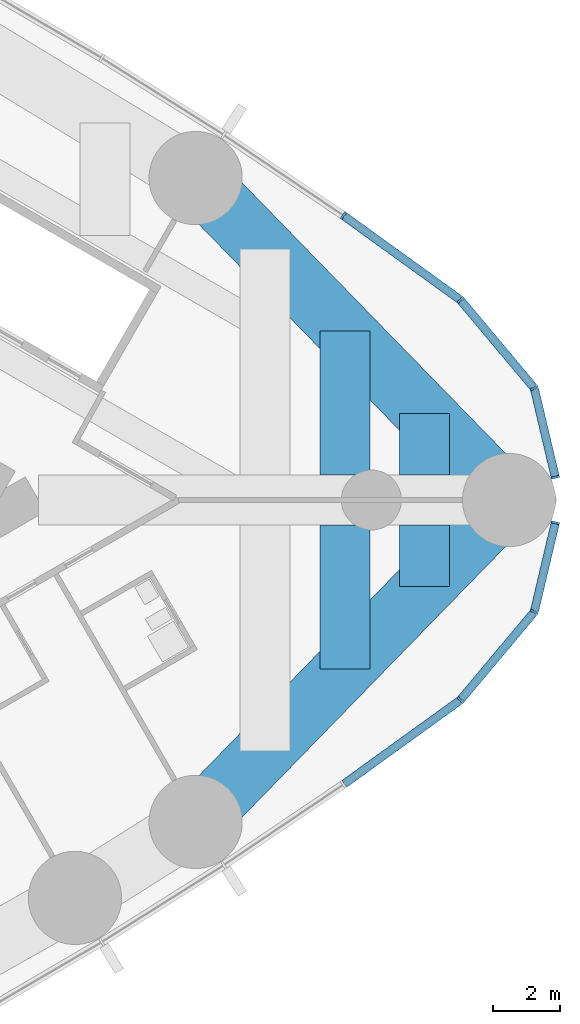
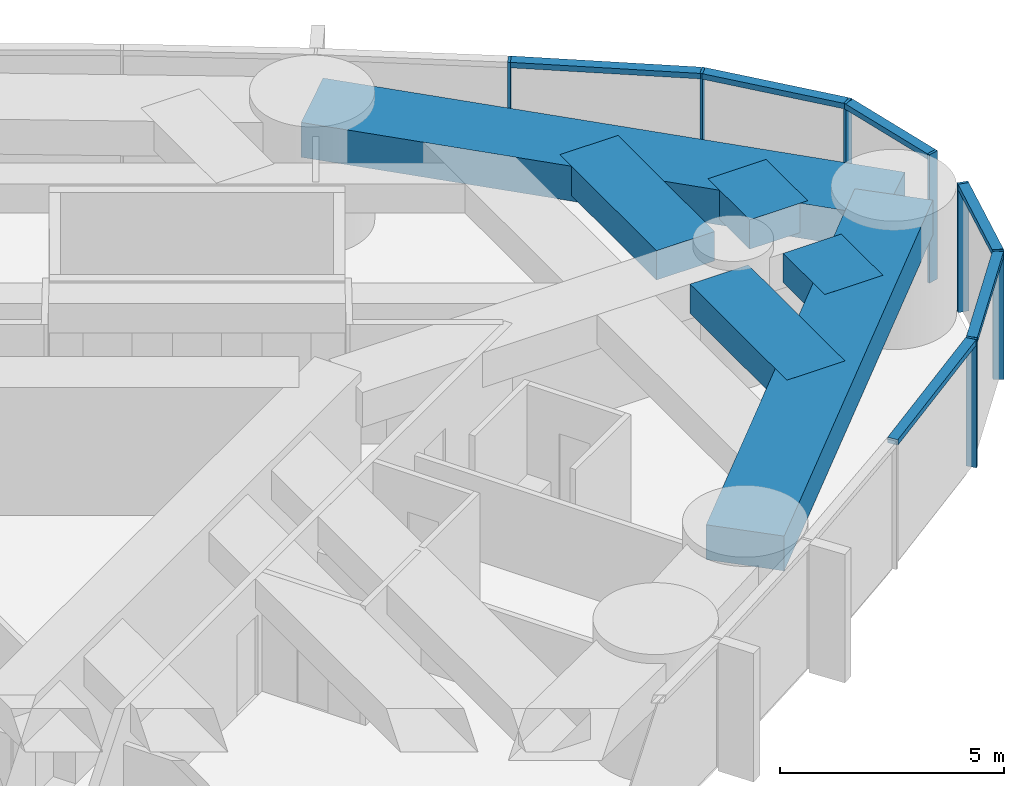
# One storey, part 9 of 19: 13 members, 6 beams, 2 elements without a shape of their own.
"""IFC4 building model written with IfcOpenShell, lengths in metres."""

from ifc_helpers import new_model, si_unit, direction, frame, origin, origin_2d, place, context, subcontext, project, spatial, rectangle, extrude, material, material_profile, profile_set, type_object, element, aggregate, save


model = new_model("IFC4")

# Units and contexts
model_context = context("Model", 3, precision=1e-05, world=origin(), true_north=direction((0.0, 1.0)))
body_context = subcontext(model_context, "Body", "Model", "MODEL_VIEW")
ifc_project = project(units=[si_unit("LENGTHUNIT", "METRE"), si_unit("AREAUNIT", "SQUARE_METRE"), si_unit("VOLUMEUNIT", "CUBIC_METRE"), si_unit("PLANEANGLEUNIT", "RADIAN"), si_unit("MASSUNIT", "GRAM", prefix="KILO")], contexts=[model_context])

# Site, building, storey
site_placement = place(None, origin())
site = spatial("IfcSite", under=ifc_project, at=site_placement, CompositionType="ELEMENT")
building_placement = place(site_placement, origin())
building = spatial("IfcBuilding", under=site, at=building_placement, Name="Lancet Gate Hotel", CompositionType="ELEMENT")
storey_placement = place(building_placement, frame((0.0, 0.0, 177.300048828125)))
storey = spatial("IfcBuildingStorey", under=building, at=storey_placement, Name="L47", CompositionType="ELEMENT", Elevation=177.300048828125)

# Curtain wall, members
ifc_material_1 = material(Name="Aluminium curtain wall", Category="aluminium")
curtain_wall_type = type_object("IfcCurtainWallType", Name="Tower unitised curtain wall", PredefinedType="USERDEFINED", material=ifc_material_1)
curtain_wall_1_placement = place(storey_placement, origin())
curtain_wall_1 = element("IfcCurtainWall", 1, at=curtain_wall_1_placement, inside=storey, type_object=curtain_wall_type, Name="T2 L47 curtain wall 2", ObjectType="UNITISED CURTAIN WALL", PredefinedType="USERDEFINED")
ifc_material_2 = material(Name="Aluminium mullion", Category="aluminium")
ifc_material_profile_1 = material_profile(ifc_material_2, rectangle(XDim=0.06494140625, YDim=0.25, at=origin_2d()), Name="MULLION 65x250")
ifc_profile_set_1 = profile_set([ifc_material_profile_1], Name="Aluminium mullion")
member_type_1 = type_object("IfcMemberType", Name="Aluminium mullion 65x250", PredefinedType="MULLION", material=ifc_profile_set_1)
member_1_placement = place(storey_placement, frame((64.174560546875, -6.01123046875, 0.0), z_axis=(0.0, 0.0, 1.0), x_axis=(0.741693452951, 0.670739011725, 0.0)))
member_1 = element("IfcMember", 2, at=member_1_placement, type_object=member_type_1, Name="T2 L47 curtain wall 2 mullion 10", PredefinedType="MULLION", context=body_context, shape_type="SweptSolid", body=[
    extrude(rectangle(XDim=0.06494140625, YDim=0.25, at=origin_2d()), origin(), (0.0, 0.0, 1.0), 3.5),
])
member_2_placement = place(storey_placement, frame((66.3935546875, -3.362548828125, 0.0), z_axis=(0.0, 0.0, 1.0), x_axis=(0.472146326362, 0.881520190638, 0.0)))
member_2 = element("IfcMember", 3, at=member_2_placement, type_object=member_type_1, Name="T2 L47 curtain wall 2 mullion 11", PredefinedType="MULLION", context=body_context, shape_type="SweptSolid", body=[
    extrude(rectangle(XDim=0.06494140625, YDim=0.25, at=origin_2d()), origin(), (0.0, 0.0, 1.0), 3.5),
])
member_3_placement = place(storey_placement, frame((67.027587890625, -0.684326171875, 0.0), z_axis=(0.0, 0.0, 1.0), x_axis=(0.230366568544, 0.973103922558, 0.0)))
member_3 = element("IfcMember", 4, at=member_3_placement, type_object=member_type_1, Name="T2 L47 curtain wall 2 mullion 12", PredefinedType="MULLION", context=body_context, shape_type="SweptSolid", body=[
    extrude(rectangle(XDim=0.06494140625, YDim=0.25, at=origin_2d()), origin(), (0.0, 0.0, 1.0), 3.5),
])

curtain_wall_2_placement = place(storey_placement, origin())
curtain_wall_2 = element("IfcCurtainWall", 5, at=curtain_wall_2_placement, inside=storey, type_object=curtain_wall_type, Name="T2 L47 curtain wall 3", ObjectType="UNITISED CURTAIN WALL", PredefinedType="USERDEFINED")
member_4_placement = place(storey_placement, frame((67.027587890625, 0.684326171875, 0.0), z_axis=(0.0, 0.0, 1.0), x_axis=(-0.230366568544, 0.973103922558, 0.0)))
member_4 = element("IfcMember", 6, at=member_4_placement, type_object=member_type_1, Name="T2 L47 curtain wall 3 mullion 1", PredefinedType="MULLION", context=body_context, shape_type="SweptSolid", body=[
    extrude(rectangle(XDim=0.06494140625, YDim=0.25, at=origin_2d()), origin(), (0.0, 0.0, 1.0), 3.5),
])
member_5_placement = place(storey_placement, frame((66.3935546875, 3.362548828125, 0.0), z_axis=(0.0, 0.0, 1.0), x_axis=(-0.472146326362, 0.881520190638, 0.0)))
member_5 = element("IfcMember", 7, at=member_5_placement, type_object=member_type_1, Name="T2 L47 curtain wall 3 mullion 2", PredefinedType="MULLION", context=body_context, shape_type="SweptSolid", body=[
    extrude(rectangle(XDim=0.06494140625, YDim=0.25, at=origin_2d()), origin(), (0.0, 0.0, 1.0), 3.5),
])
member_6_placement = place(storey_placement, frame((64.174560546875, 6.01123046875, 0.0), z_axis=(0.0, 0.0, 1.0), x_axis=(-0.741693452951, 0.670739011725, 0.0)))
member_6 = element("IfcMember", 8, at=member_6_placement, type_object=member_type_1, Name="T2 L47 curtain wall 3 mullion 3", PredefinedType="MULLION", context=body_context, shape_type="SweptSolid", body=[
    extrude(rectangle(XDim=0.06494140625, YDim=0.25, at=origin_2d()), origin(), (0.0, 0.0, 1.0), 3.5),
])
member_7_placement = place(storey_placement, frame((60.66015625, 8.547607421875, 0.0), z_axis=(0.0, 0.0, 1.0), x_axis=(-0.820068208435, 0.572265789222, 0.0)))
member_7 = element("IfcMember", 9, at=member_7_placement, type_object=member_type_1, Name="T2 L47 curtain wall 3 mullion 4", PredefinedType="MULLION", context=body_context, shape_type="SweptSolid", body=[
    extrude(rectangle(XDim=0.06494140625, YDim=0.25, at=origin_2d()), origin(), (0.0, 0.0, 1.0), 3.5),
])

# Member
ifc_material_3 = material(Name="Aluminium transom", Category="aluminium")
ifc_material_profile_2 = material_profile(ifc_material_3, rectangle(XDim=0.25, YDim=0.14990234375, at=origin_2d()), Name="TRANSOM 250x150")
ifc_profile_set_2 = profile_set([ifc_material_profile_2], Name="Aluminium transom")
member_type_2 = type_object("IfcMemberType", Name="Aluminium transom 250x150", PredefinedType="USERDEFINED", material=ifc_profile_set_2)
member_8_placement = place(storey_placement, frame((60.6865234375, -8.528564453125, 3.425048828125), z_axis=(0.810879747578, 0.585212811691, 0.0), x_axis=(-0.585212811691, 0.810879747578, 0.0)))
member_8 = element("IfcMember", 10, at=member_8_placement, type_object=member_type_2, Name="T2 L47 curtain wall 2 transom 9", ObjectType="TRANSOM", PredefinedType="USERDEFINED", context=body_context, shape_type="SweptSolid", body=[
    extrude(rectangle(XDim=0.25, YDim=0.14990234375, at=origin_2d()), origin(), (0.0, 0.0, 1.0), 4.26904296875),
])

member_9_placement = place(storey_placement, frame((64.1953125, -5.986328125, 3.425048828125), z_axis=(0.642229010215, 0.766512816878, 0.0), x_axis=(-0.766512816878, 0.642229010215, 0.0)))
member_9 = element("IfcMember", 11, at=member_9_placement, type_object=member_type_2, Name="T2 L47 curtain wall 2 transom 10", ObjectType="TRANSOM", PredefinedType="USERDEFINED", context=body_context, shape_type="SweptSolid", body=[
    extrude(rectangle(XDim=0.25, YDim=0.14990234375, at=origin_2d()), origin(), (0.0, 0.0, 1.0), 3.390625),
])

member_10_placement = place(storey_placement, frame((66.401123046875, -3.3310546875, 3.425048828125), z_axis=(0.230310174804, 0.973117271135, 0.0), x_axis=(-0.973117271135, 0.230310174804, 0.0)))
member_10 = element("IfcMember", 12, at=member_10_placement, type_object=member_type_2, Name="T2 L47 curtain wall 2 transom 11", ObjectType="TRANSOM", PredefinedType="USERDEFINED", context=body_context, shape_type="SweptSolid", body=[
    extrude(rectangle(XDim=0.25, YDim=0.14990234375, at=origin_2d()), origin(), (0.0, 0.0, 1.0), 2.687255859375),
])

aggregate(curtain_wall_1, [member_1, member_2, member_3, member_8, member_9, member_10])

member_11_placement = place(storey_placement, frame((67.02001953125, 0.716064453125, 3.425048828125), z_axis=(-0.230310174804, 0.973117271135, 0.0), x_axis=(-0.973117271135, -0.230310174804, 0.0)))
member_11 = element("IfcMember", 13, at=member_11_placement, type_object=member_type_2, Name="T2 L47 curtain wall 3 transom 1", ObjectType="TRANSOM", PredefinedType="USERDEFINED", context=body_context, shape_type="SweptSolid", body=[
    extrude(rectangle(XDim=0.25, YDim=0.14990234375, at=origin_2d()), origin(), (0.0, 0.0, 1.0), 2.687255859375),
])

member_12_placement = place(storey_placement, frame((66.372802734375, 3.387451171875, 3.425048828125), z_axis=(-0.642229010215, 0.766512816878, 0.0), x_axis=(-0.766512816878, -0.642229010215, 0.0)))
member_12 = element("IfcMember", 14, at=member_12_placement, type_object=member_type_2, Name="T2 L47 curtain wall 3 transom 2", ObjectType="TRANSOM", PredefinedType="USERDEFINED", context=body_context, shape_type="SweptSolid", body=[
    extrude(rectangle(XDim=0.25, YDim=0.14990234375, at=origin_2d()), origin(), (0.0, 0.0, 1.0), 3.390625),
])

member_13_placement = place(storey_placement, frame((64.148193359375, 6.0302734375, 3.425048828125), z_axis=(-0.810879747578, 0.585212811691, 0.0), x_axis=(-0.585212811691, -0.810879747578, 0.0)))
member_13 = element("IfcMember", 15, at=member_13_placement, type_object=member_type_2, Name="T2 L47 curtain wall 3 transom 3", ObjectType="TRANSOM", PredefinedType="USERDEFINED", context=body_context, shape_type="SweptSolid", body=[
    extrude(rectangle(XDim=0.25, YDim=0.14990234375, at=origin_2d()), origin(), (0.0, 0.0, 1.0), 4.26904296875),
])

aggregate(curtain_wall_2, [member_4, member_5, member_6, member_7, member_11, member_12, member_13])

# Beams
ifc_material_4 = material(Name="Concrete C50/60", Category="concrete")
ifc_material_profile_3 = material_profile(ifc_material_4, rectangle(XDim=1.800048828125, YDim=0.949951171875, at=origin_2d()), Name="RC 1800x950")
ifc_profile_set_3 = profile_set([ifc_material_profile_3], Name="Concrete C50/60")
beam_type_1 = type_object("IfcBeamType", Name="Edge beam RC 1800x950", PredefinedType="SPANDREL", material=ifc_profile_set_3)
for number, where, z_axis, x_axis, name in (
    (16, (56.220947265625, -9.67236328125, 2.77490234375), (0.697649905443, 0.716438838587, 0.0), (-0.716438838587, 0.697649905443, 0.0), "T2 edge beam EB1 L47"),
    (17, (65.6396484375, 0.0, 2.77490234375), (-0.697649905443, 0.716438838587, 0.0), (-0.716438838587, -0.697649905443, 0.0), "T2 edge beam EB1 L47"),
):
    element("IfcBeam", number, at=place(storey_placement, frame(where, z_axis=z_axis, x_axis=x_axis)), inside=storey, type_object=beam_type_1, Name=name, PredefinedType="SPANDREL", context=body_context, shape_type="SweptSolid", body=[
        extrude(rectangle(XDim=1.800048828125, YDim=0.949951171875, at=origin_2d()), origin(), (0.0, 0.0, 1.0), 13.500732421875),
    ])
ifc_material_5 = material(Name="Concrete C50/60", Category="concrete")
ifc_material_profile_4 = material_profile(ifc_material_5, rectangle(XDim=1.5, YDim=0.800048828125, at=origin_2d()), Name="RC 1500x800")
ifc_profile_set_4 = profile_set([ifc_material_profile_4], Name="Concrete C50/60")
beam_type_2 = type_object("IfcBeamType", Name="Floor beam RC 1500x800", PredefinedType="BEAM", material=ifc_profile_set_4)
for number, where, z_axis, x_axis, name in (
    (18, (60.7021484375, -5.0703125, 2.849853515625), (0.0, 1.0, 0.0), (-1.0, 0.0, 0.0), "T2 floor beam F14S L47"),
    (19, (60.7021484375, 0.75, 2.849853515625), (0.0, 1.0, 0.0), (-1.0, 0.0, 0.0), "T2 floor beam F15N L47"),
):
    element("IfcBeam", number, at=place(storey_placement, frame(where, z_axis=z_axis, x_axis=x_axis)), inside=storey, type_object=beam_type_2, Name=name, PredefinedType="BEAM", context=body_context, shape_type="SweptSolid", body=[
        extrude(rectangle(XDim=1.5, YDim=0.800048828125, at=origin_2d()), origin(), (0.0, 0.0, 1.0), 4.3203125),
    ])
for number, where, z_axis, x_axis, name in (
    (20, (63.102294921875, -2.605712890625, 2.849853515625), (0.0, 1.0, 0.0), (-1.0, 0.0, 0.0), "T2 floor beam F16S L47"),
    (21, (63.102294921875, 0.75, 2.849853515625), (0.0, 1.0, 0.0), (-1.0, 0.0, 0.0), "T2 floor beam F17N L47"),
):
    element("IfcBeam", number, at=place(storey_placement, frame(where, z_axis=z_axis, x_axis=x_axis)), inside=storey, type_object=beam_type_2, Name=name, PredefinedType="BEAM", context=body_context, shape_type="SweptSolid", body=[
        extrude(rectangle(XDim=1.5, YDim=0.800048828125, at=origin_2d()), origin(), (0.0, 0.0, 1.0), 1.855712890625),
    ])

save(model, "model.ifc")
